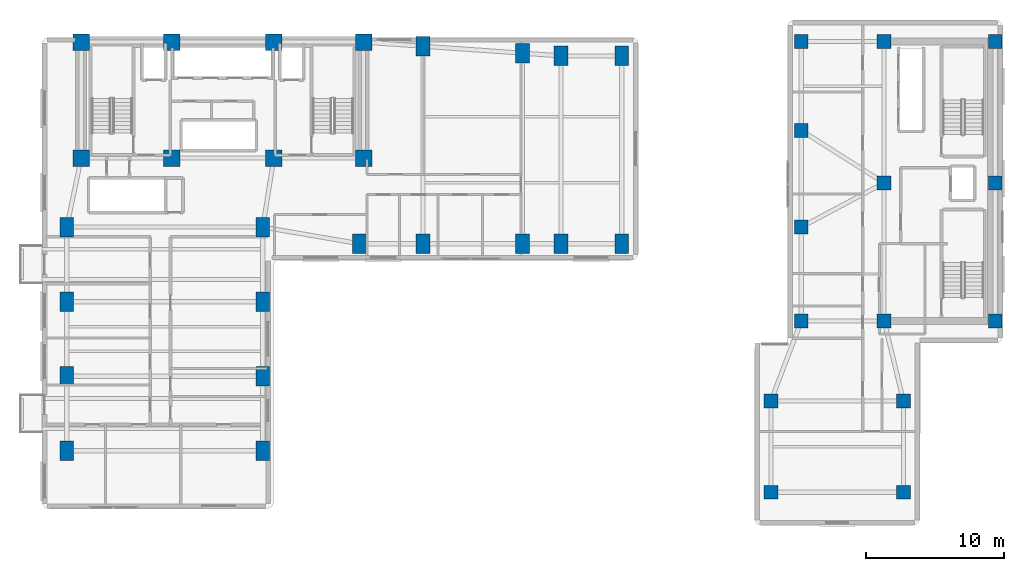
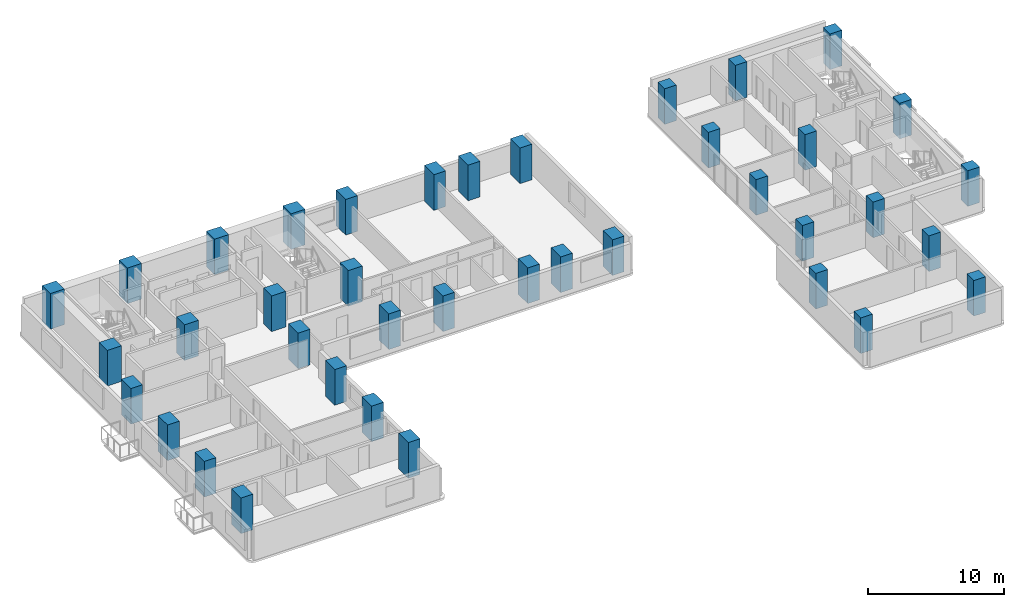
# One storey, part 1 of 18: 39 columns.
"""IFC4 building model written with IfcOpenShell, lengths in metres."""

from ifc_helpers import new_model, si_unit, direction, frame, origin, origin_2d, place, context, subcontext, project, spatial, rectangle, extrude, material, material_profile, profile_set, type_object, element, save


model = new_model("IFC4")

# Units and contexts
model_context = context("Model", 3, precision=1e-05, world=origin(), true_north=direction((0.0, 1.0)))
body_context = subcontext(model_context, "Body", "Model", "MODEL_VIEW")
ifc_project = project(units=[si_unit("LENGTHUNIT", "METRE"), si_unit("AREAUNIT", "SQUARE_METRE"), si_unit("VOLUMEUNIT", "CUBIC_METRE"), si_unit("PLANEANGLEUNIT", "RADIAN"), si_unit("MASSUNIT", "GRAM", prefix="KILO")], contexts=[model_context])

# Site, building, storey
site_placement = place(None, origin())
site = spatial("IfcSite", under=ifc_project, at=site_placement, CompositionType="ELEMENT")
building_placement = place(site_placement, origin())
building = spatial("IfcBuilding", under=site, at=building_placement, Name="Kuzgunbayir Cultural Tower", CompositionType="ELEMENT")
storey_placement = place(building_placement, frame((0.0, 0.0, 53.199951171875)))
storey = spatial("IfcBuildingStorey", under=building, at=storey_placement, Name="L14", CompositionType="ELEMENT", Elevation=53.199951171875)

# Columns
ifc_material = material(Name="Concrete C60/75", Category="concrete")
ifc_material_profile_1 = material_profile(ifc_material, rectangle(XDim=1.199951171875, YDim=1.199951171875, at=origin_2d()), Name="RC 1200x1200")
ifc_profile_set_1 = profile_set([ifc_material_profile_1], Name="Concrete C60/75")
column_type_1 = type_object("IfcColumnType", Name="COL-CORE-1200", PredefinedType="COLUMN", material=ifc_profile_set_1)
for number, where, z_axis, x_axis, name in (
    (1, (6.449951171875, 33.800048828125, 0.0), (0.0, 0.0, 1.0), (1.0, 0.0, 0.0), "L14 T1 Core Boundary Column CC1-1"),
    (2, (13.0, 33.800048828125, 0.0), (0.0, 0.0, 1.0), (1.0, 0.0, 0.0), "L14 T1 Core Boundary Column CC1-2"),
    (3, (20.39990234375, 33.800048828125, 0.0), (0.0, 0.0, 1.0), (1.0, 0.0, 0.0), "L14 T1 Core Boundary Column CC1-3"),
    (4, (26.89990234375, 33.800048828125, 0.0), (0.0, 0.0, 1.0), (1.0, 0.0, 0.0), "L14 T1 Core Boundary Column CC1-4"),
    (5, (6.449951171875, 42.199951171875, 0.0), (0.0, 0.0, 1.0), (1.0, 0.0, 0.0), "L14 T1 Core Boundary Column CC1-5"),
    (6, (13.0, 42.199951171875, 0.0), (0.0, 0.0, 1.0), (1.0, 0.0, 0.0), "L14 T1 Core Boundary Column CC1-6"),
    (7, (20.39990234375, 42.199951171875, 0.0), (0.0, 0.0, 1.0), (1.0, 0.0, 0.0), "L14 T1 Core Boundary Column CC1-7"),
    (8, (26.89990234375, 42.199951171875, 0.0), (0.0, 0.0, 1.0), (1.0, 0.0, 0.0), "L14 T1 Core Boundary Column CC1-8"),
):
    element("IfcColumn", number, at=place(storey_placement, frame(where, z_axis=z_axis, x_axis=x_axis)), inside=storey, type_object=column_type_1, Name=name, PredefinedType="COLUMN", context=body_context, shape_type="SweptSolid", body=[
        extrude(rectangle(XDim=1.199951171875, YDim=1.199951171875, at=origin_2d()), origin(), (0.0, 0.0, 1.0), 3.199951171875),
    ])
ifc_material_profile_2 = material_profile(ifc_material, rectangle(XDim=1.0, YDim=1.39990234375, at=origin_2d()), Name="RC 1400x1000")
ifc_profile_set_2 = profile_set([ifc_material_profile_2], Name="Concrete C60/75")
column_type_2 = type_object("IfcColumnType", Name="COL-T1-1400x1000", PredefinedType="COLUMN", material=ifc_profile_set_2)
for number, where, z_axis, x_axis, name in (
    (9, (5.39990234375, 12.60009765625, 0.0), (0.0, 0.0, 1.0), (1.0, 0.0, 0.0), "L14 Tower 1 Wing A Column T1A-W-1"),
    (10, (19.60009765625, 12.60009765625, 0.0), (0.0, 0.0, 1.0), (1.0, 0.0, 0.0), "L14 Tower 1 Wing A Column T1A-E-1"),
    (11, (5.39990234375, 18.0, 0.0), (0.0, 0.0, 1.0), (1.0, 0.0, 0.0), "L14 Tower 1 Wing A Column T1A-W-2"),
    (12, (19.60009765625, 18.0, 0.0), (0.0, 0.0, 1.0), (1.0, 0.0, 0.0), "L14 Tower 1 Wing A Column T1A-E-2"),
    (13, (5.39990234375, 23.39990234375, 0.0), (0.0, 0.0, 1.0), (1.0, 0.0, 0.0), "L14 Tower 1 Wing A Column T1A-W-3"),
    (14, (19.60009765625, 23.39990234375, 0.0), (0.0, 0.0, 1.0), (1.0, 0.0, 0.0), "L14 Tower 1 Wing A Column T1A-E-3"),
    (15, (5.39990234375, 28.800048828125, 0.0), (0.0, 0.0, 1.0), (1.0, 0.0, 0.0), "L14 Tower 1 Wing A Column T1A-W-4"),
    (16, (19.60009765625, 28.800048828125, 0.0), (0.0, 0.0, 1.0), (1.0, 0.0, 0.0), "L14 Tower 1 Wing A Column T1A-E-4"),
    (17, (26.60009765625, 27.60009765625, 0.0), (0.0, 0.0, 1.0), (1.0, 0.0, 0.0), "L14 Tower 1 Wing B Column T1B-1-1"),
    (18, (31.199951171875, 27.60009765625, 0.0), (0.0, 0.0, 1.0), (1.0, 0.0, 0.0), "L14 Tower 1 Wing B Column T1B-2-1"),
    (19, (31.199951171875, 41.89990234375, 0.0), (0.0, 0.0, 1.0), (1.0, 0.0, 0.0), "L14 Tower 1 Wing B Column T1B-2-2"),
    (20, (38.39990234375, 27.60009765625, 0.0), (0.0, 0.0, 1.0), (1.0, 0.0, 0.0), "L14 Tower 1 Wing B Column T1B-3-1"),
    (21, (38.39990234375, 41.39990234375, 0.0), (0.0, 0.0, 1.0), (1.0, 0.0, 0.0), "L14 Tower 1 Wing B Column T1B-3-2"),
    (22, (41.199951171875, 27.60009765625, 0.0), (0.0, 0.0, 1.0), (1.0, 0.0, 0.0), "L14 Tower 1 Wing B Column T1B-4-1"),
    (23, (41.199951171875, 41.199951171875, 0.0), (0.0, 0.0, 1.0), (1.0, 0.0, 0.0), "L14 Tower 1 Wing B Column T1B-4-2"),
    (24, (45.60009765625, 27.60009765625, 0.0), (0.0, 0.0, 1.0), (1.0, 0.0, 0.0), "L14 Tower 1 Wing B Column T1B-5-1"),
    (25, (45.60009765625, 41.199951171875, 0.0), (0.0, 0.0, 1.0), (1.0, 0.0, 0.0), "L14 Tower 1 Wing B Column T1B-5-2"),
):
    element("IfcColumn", number, at=place(storey_placement, frame(where, z_axis=z_axis, x_axis=x_axis)), inside=storey, type_object=column_type_2, Name=name, PredefinedType="COLUMN", context=body_context, shape_type="SweptSolid", body=[
        extrude(rectangle(XDim=1.0, YDim=1.39990234375, at=origin_2d()), origin(), (0.0, 0.0, 1.0), 3.199951171875),
    ])
ifc_material_profile_3 = material_profile(ifc_material, rectangle(XDim=1.0, YDim=1.0, at=origin_2d()), Name="RC 1000x1000")
ifc_profile_set_3 = profile_set([ifc_material_profile_3], Name="Concrete C60/75")
column_type_3 = type_object("IfcColumnType", Name="COL-T2-1000", PredefinedType="COLUMN", material=ifc_profile_set_3)
for number, where, z_axis, x_axis, name in (
    (26, (64.60009765625, 22.0, 0.0), (0.0, 0.0, 1.0), (1.0, 0.0, 0.0), "L14 T2 Core Boundary Column CC2-1"),
    (27, (72.64990234375, 22.0, 0.0), (0.0, 0.0, 1.0), (1.0, 0.0, 0.0), "L14 T2 Core Boundary Column CC2-2"),
    (28, (64.60009765625, 32.0, 0.0), (0.0, 0.0, 1.0), (1.0, 0.0, 0.0), "L14 T2 Core Boundary Column CC2-3"),
    (29, (72.64990234375, 32.0, 0.0), (0.0, 0.0, 1.0), (1.0, 0.0, 0.0), "L14 T2 Core Boundary Column CC2-4"),
    (30, (64.60009765625, 42.25, 0.0), (0.0, 0.0, 1.0), (1.0, 0.0, 0.0), "L14 T2 Core Boundary Column CC2-5"),
    (31, (72.64990234375, 42.25, 0.0), (0.0, 0.0, 1.0), (1.0, 0.0, 0.0), "L14 T2 Core Boundary Column CC2-6"),
):
    element("IfcColumn", number, at=place(storey_placement, frame(where, z_axis=z_axis, x_axis=x_axis)), inside=storey, type_object=column_type_3, Name=name, PredefinedType="COLUMN", context=body_context, shape_type="SweptSolid", body=[
        extrude(rectangle(XDim=1.0, YDim=1.0, at=origin_2d()), origin(), (0.0, 0.0, 1.0), 3.199951171875),
    ])
ifc_material_profile_4 = material_profile(ifc_material, rectangle(XDim=1.0, YDim=1.0, at=origin_2d()), Name="RC 1000x1000")
ifc_profile_set_4 = profile_set([ifc_material_profile_4], Name="Concrete C60/75")
column_type_4 = type_object("IfcColumnType", Name="COL-T2-1000-EXT", PredefinedType="COLUMN", material=ifc_profile_set_4)
for number, where, z_axis, x_axis, name in (
    (32, (58.60009765625, 22.0, 0.0), (0.0, 0.0, 1.0), (1.0, 0.0, 0.0), "L14 Companion Wing A Column T2A-W-1"),
    (33, (58.60009765625, 28.800048828125, 0.0), (0.0, 0.0, 1.0), (1.0, 0.0, 0.0), "L14 Companion Wing A Column T2A-W-2"),
    (34, (58.60009765625, 35.800048828125, 0.0), (0.0, 0.0, 1.0), (1.0, 0.0, 0.0), "L14 Companion Wing A Column T2A-W-3"),
    (35, (58.60009765625, 42.25, 0.0), (0.0, 0.0, 1.0), (1.0, 0.0, 0.0), "L14 Companion Wing A Column T2A-W-4"),
    (36, (56.39990234375, 9.60009765625, 0.0), (0.0, 0.0, 1.0), (1.0, 0.0, 0.0), "L14 Companion Wing B Column T2B-1-1"),
    (37, (56.39990234375, 16.199951171875, 0.0), (0.0, 0.0, 1.0), (1.0, 0.0, 0.0), "L14 Companion Wing B Column T2B-1-2"),
    (38, (66.0, 9.60009765625, 0.0), (0.0, 0.0, 1.0), (1.0, 0.0, 0.0), "L14 Companion Wing B Column T2B-2-1"),
    (39, (66.0, 16.199951171875, 0.0), (0.0, 0.0, 1.0), (1.0, 0.0, 0.0), "L14 Companion Wing B Column T2B-2-2"),
):
    element("IfcColumn", number, at=place(storey_placement, frame(where, z_axis=z_axis, x_axis=x_axis)), inside=storey, type_object=column_type_4, Name=name, PredefinedType="COLUMN", context=body_context, shape_type="SweptSolid", body=[
        extrude(rectangle(XDim=1.0, YDim=1.0, at=origin_2d()), origin(), (0.0, 0.0, 1.0), 3.199951171875),
    ])

save(model, "model.ifc")
